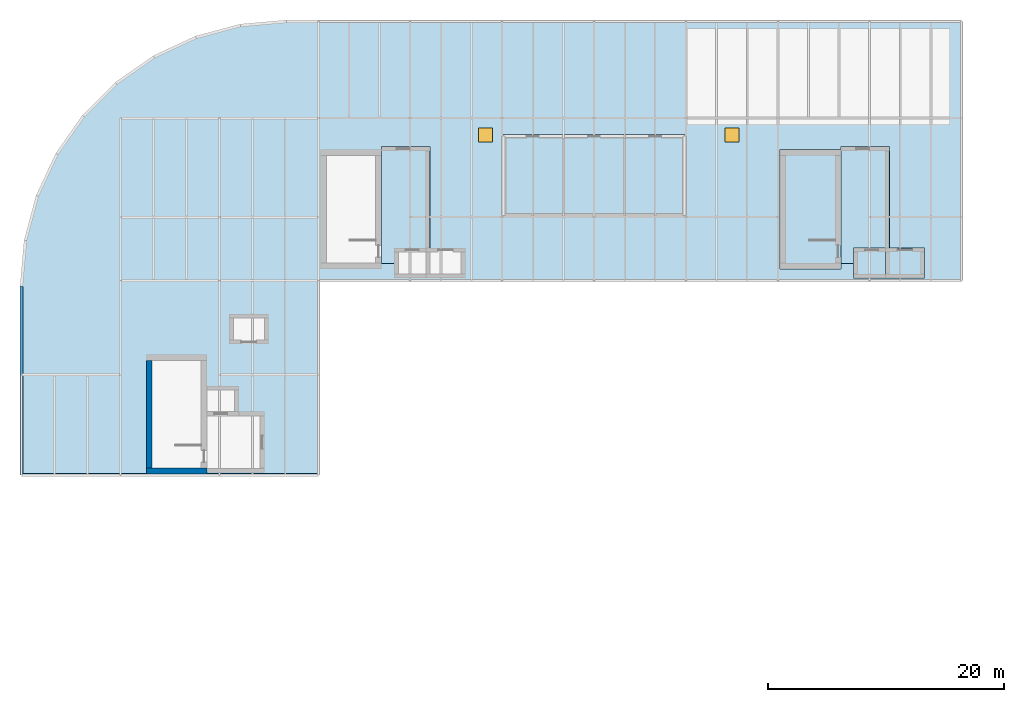
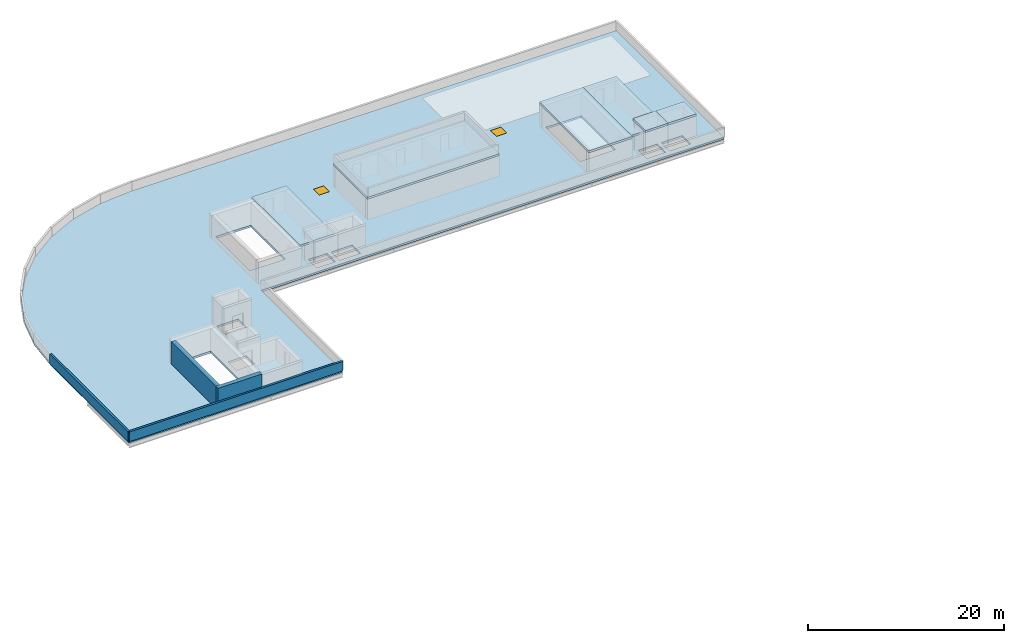
"""IFC4 building model written with IfcOpenShell, lengths in metres."""

from ifc_helpers import new_model, si_unit, direction, frame, frame_2d, origin, origin_2d, place, context, subcontext, project, spatial, polyline, rectangle, outline, extrude, material, layer, layer_set, type_object, element, fill, save


model = new_model("IFC4")

# Units and contexts
model_context = context("Model", 3, precision=1e-05, world=origin(), true_north=direction((0.0, 1.0)))
body_context = subcontext(model_context, "Body", "Model", "MODEL_VIEW")
ifc_project = project(units=[si_unit("LENGTHUNIT", "METRE"), si_unit("AREAUNIT", "SQUARE_METRE"), si_unit("VOLUMEUNIT", "CUBIC_METRE"), si_unit("PLANEANGLEUNIT", "RADIAN"), si_unit("MASSUNIT", "GRAM", prefix="KILO")], contexts=[model_context])

# Site, building, storey
site_placement = place(None, origin())
site = spatial("IfcSite", under=ifc_project, at=site_placement, CompositionType="ELEMENT")
building_placement = place(site_placement, origin())
building = spatial("IfcBuilding", under=site, at=building_placement, Name="Sefraquen Railside Congress Hotel", CompositionType="ELEMENT")
storey_1_placement = place(building_placement, frame((0.0, 0.0, 51.60009765625)))
storey_1 = spatial("IfcBuildingStorey", under=building, at=storey_1_placement, Name="RF", CompositionType="ELEMENT", Elevation=51.60009765625)

# Slabs
ifc_material_1 = material(Name="Concrete C40/50", Category="concrete")
ifc_layer_1 = layer(ifc_material_1, 0.260009765625)
ifc_layer_set_1 = layer_set([ifc_layer_1], Name="Concrete C40/50")
slab_type_1 = type_object("IfcSlabType", Name="TS-HC-260", PredefinedType="USERDEFINED", material=ifc_layer_set_1)
slab_1_placement = place(storey_1_placement, frame((0.0, 0.0, 2.7998046875)))
element("IfcSlab", 1, at=slab_1_placement, inside=storey_1, type_object=slab_type_1, Name="Stair ST-H03 rooftop penthouse cap slab", ObjectType="HOUSING CAP", PredefinedType="USERDEFINED", context=body_context, shape_type="SweptSolid", body=[
    extrude(outline(polyline([(64.39990234375, 97.0), (69.56005859375, 97.0), (69.56005859375, 107.112060546875), (64.39990234375, 107.112060546875), (64.39990234375, 97.0)])), origin(), (0.0, 0.0, 1.0), 0.260009765625),
])
slab_2_placement = place(storey_1_placement, frame((0.0, 0.0, 2.599853515625)))
element("IfcSlab", 2, at=slab_2_placement, inside=storey_1, type_object=slab_type_1, Name="Rooftop service penthouse housing cap slab", ObjectType="HOUSING CAP", PredefinedType="USERDEFINED", context=body_context, shape_type="SweptSolid", body=[
    extrude(outline(polyline([(40.800048828125, 101.39990234375), (56.39990234375, 101.39990234375), (56.39990234375, 108.39990234375), (40.800048828125, 108.39990234375), (40.800048828125, 101.39990234375)])), origin(), (0.0, 0.0, 1.0), 0.260009765625),
])
slab_3_placement = place(storey_1_placement, frame((0.0, 0.0, 3.599853515625)))
element("IfcSlab", 3, at=slab_3_placement, inside=storey_1, type_object=slab_type_1, Name="Lift FL-03 roof overrun cap slab", ObjectType="HOUSING CAP", PredefinedType="USERDEFINED", context=body_context, shape_type="SweptSolid", body=[
    extrude(outline(polyline([(70.639892578125, 96.22998046875), (73.330078125, 96.22998046875), (73.330078125, 98.77001953125), (70.639892578125, 98.77001953125), (70.639892578125, 96.22998046875)])), origin(), (0.0, 0.0, 1.0), 0.260009765625),
])
slab_4_placement = place(storey_1_placement, frame((0.0, 0.0, 3.599853515625)))
element("IfcSlab", 4, at=slab_4_placement, inside=storey_1, type_object=slab_type_1, Name="Lift PL-05 roof overrun cap slab", ObjectType="HOUSING CAP", PredefinedType="USERDEFINED", context=body_context, shape_type="SweptSolid", body=[
    extrude(outline(polyline([(73.330078125, 96.22998046875), (76.669921875, 96.22998046875), (76.669921875, 98.77001953125), (73.330078125, 98.77001953125), (73.330078125, 96.22998046875)])), origin(), (0.0, 0.0, 1.0), 0.260009765625),
])
slab_5_placement = place(storey_1_placement, frame((0.0, 0.0, 2.599853515625)))
element("IfcSlab", 5, at=slab_5_placement, inside=storey_1, type_object=slab_type_1, Name="Firefighting Lift Lobby FFL-02 rooftop cap slab", ObjectType="HOUSING CAP", PredefinedType="USERDEFINED", context=body_context, shape_type="SweptSolid", body=[
    extrude(outline(polyline([(30.56005859375, 97.449951171875), (34.659912109375, 97.449951171875), (34.659912109375, 107.3798828125), (30.56005859375, 107.3798828125), (30.56005859375, 97.449951171875)])), origin(), (0.0, 0.0, 1.0), 0.260009765625),
])
slab_6_placement = place(storey_1_placement, frame((0.0, 0.0, 2.599853515625)))
element("IfcSlab", 6, at=slab_6_placement, inside=storey_1, type_object=slab_type_1, Name="Firefighting Lift Lobby FFL-03 rooftop cap slab", ObjectType="HOUSING CAP", PredefinedType="USERDEFINED", context=body_context, shape_type="SweptSolid", body=[
    extrude(outline(polyline([(69.56005859375, 97.449951171875), (73.659912109375, 97.449951171875), (73.659912109375, 107.3798828125), (69.56005859375, 107.3798828125), (69.56005859375, 97.449951171875)])), origin(), (0.0, 0.0, 1.0), 0.260009765625),
])

# Slab, openings
ifc_layer_2 = layer(ifc_material_1, 0.260009765625)
ifc_layer_set_2 = layer_set([ifc_layer_2], Name="Concrete C40/50")
slab_type_2 = type_object("IfcSlabType", Name="TS-RF-260", PredefinedType="ROOF", material=ifc_layer_set_2)
slab_7_placement = place(storey_1_placement, frame((0.0, 0.0, -0.260009765625)))
slab_7 = element("IfcSlab", 7, at=slab_7_placement, inside=storey_1, type_object=slab_type_2, Name="Hotel Crown RF main insulated roof slab", PredefinedType="ROOF", context=body_context, shape_type="SweptSolid", body=[
    extrude(outline(polyline([(0.0, 79.5), (25.199951171875, 79.5), (25.199951171875, 96.0), (79.800048828125, 96.0), (79.800048828125, 118.0), (22.5, 118.0), (18.593017578125, 117.658203125), (14.804443359375, 116.64306640625), (11.25, 114.985595703125), (8.037353515625, 112.736083984375), (5.263916015625, 109.962646484375), (3.014404296875, 106.75), (1.35693359375, 103.195556640625), (0.341796875, 99.406982421875), (0.0, 95.5), (0.0, 79.5)]), holes=[polyline([(11.10009765625, 82.219970703125), (15.260009765625, 82.219970703125), (15.260009765625, 89.2119140625), (11.10009765625, 89.2119140625), (11.10009765625, 82.219970703125)]), polyline([(25.89990234375, 99.6201171875), (30.06005859375, 99.6201171875), (30.06005859375, 106.612060546875), (25.89990234375, 106.612060546875), (25.89990234375, 99.6201171875)]), polyline([(64.89990234375, 99.6201171875), (69.06005859375, 99.6201171875), (69.06005859375, 106.612060546875), (64.89990234375, 106.612060546875), (64.89990234375, 99.6201171875)]), polyline([(15.830078125, 84.949951171875), (18.030029296875, 84.949951171875), (18.030029296875, 86.64990234375), (15.830078125, 86.64990234375), (15.830078125, 84.949951171875)]), polyline([(32.06005859375, 96.64990234375), (34.260009765625, 96.64990234375), (34.260009765625, 98.35009765625), (32.06005859375, 98.35009765625), (32.06005859375, 96.64990234375)]), polyline([(71.06005859375, 96.64990234375), (73.260009765625, 96.64990234375), (73.260009765625, 98.35009765625), (71.06005859375, 98.35009765625), (71.06005859375, 96.64990234375)]), polyline([(18.050048828125, 91.050048828125), (20.550048828125, 91.050048828125), (20.550048828125, 92.75), (18.050048828125, 92.75), (18.050048828125, 91.050048828125)]), polyline([(34.75, 96.64990234375), (37.25, 96.64990234375), (37.25, 98.35009765625), (34.75, 98.35009765625), (34.75, 96.64990234375)]), polyline([(73.75, 96.64990234375), (76.25, 96.64990234375), (76.25, 98.35009765625), (73.75, 98.35009765625), (73.75, 96.64990234375)])]), origin(), (0.0, 0.0, 1.0), 0.260009765625),
])
opening_1_placement = place(slab_7_placement, frame((39.39990234375, 108.35009765625, -0.010009765625)))
opening_1 = element("IfcOpeningElement", 8, at=opening_1_placement, cuts=slab_7, Name="Opening SK-08", PredefinedType="OPENING", context=body_context, shape_type="SweptSolid", body=[
    extrude(rectangle(XDim=1.199951171875, YDim=1.199951171875, at=origin_2d()), origin(), (0.0, 0.0, 1.0), 0.280029296875),
])
opening_2_placement = place(slab_7_placement, frame((60.300048828125, 108.35009765625, -0.010009765625)))
opening_2 = element("IfcOpeningElement", 9, at=opening_2_placement, cuts=slab_7, Name="Opening SK-08", PredefinedType="OPENING", context=body_context, shape_type="SweptSolid", body=[
    extrude(rectangle(XDim=1.199951171875, YDim=1.199951171875, at=origin_2d()), origin(), (0.0, 0.0, 1.0), 0.280029296875),
])

# Storey
storey_2_placement = place(building_placement, frame((0.0, 0.0, 46.800048828125)))
storey_2 = spatial("IfcBuildingStorey", under=building, at=storey_2_placement, Name="L11", CompositionType="ELEMENT", Elevation=46.800048828125)

# Window
ifc_material_2 = material(Name="Laminated solar-control skylight glazing in bronze kerb", Category="glass")
window_type = type_object("IfcWindowType", Name="TWN-SK-08", PartitioningType="SINGLE_PANEL", PredefinedType="SKYLIGHT", material=ifc_material_2)
window_1_placement = place(opening_1_placement, frame((0.0, 0.0, 0.219970703125)))
window_1 = element("IfcWindow", 10, at=window_1_placement, inside=storey_2, type_object=window_type, Name="Glazed roof skylight or hatch WIN-RF-HATCH-04", OverallHeight=1.199951171875, OverallWidth=1.199951171875, PartitioningType="SINGLE_PANEL", PredefinedType="SKYLIGHT", context=body_context, shape_type="SweptSolid", body=[
    extrude(rectangle(XDim=1.199951171875, YDim=1.199951171875, at=origin_2d()), origin(), (0.0, 0.0, 1.0), 0.050048828125),
])

fill(opening_1, window_1)

window_2_placement = place(opening_2_placement, frame((0.0, 0.0, 0.219970703125)))
window_2 = element("IfcWindow", 11, at=window_2_placement, inside=storey_2, type_object=window_type, Name="Glazed roof skylight or hatch WIN-RF-HATCH-05", OverallHeight=1.199951171875, OverallWidth=1.199951171875, PartitioningType="SINGLE_PANEL", PredefinedType="SKYLIGHT", context=body_context, shape_type="SweptSolid", body=[
    extrude(rectangle(XDim=1.199951171875, YDim=1.199951171875, at=origin_2d()), origin(), (0.0, 0.0, 1.0), 0.050048828125),
])

fill(opening_2, window_2)

# Walls
ifc_material_3 = material(Name="Concrete C50/60", Category="concrete")
ifc_layer_3 = layer(ifc_material_3, 0.5)
ifc_layer_set_3 = layer_set([ifc_layer_3], Name="Concrete C50/60")
wall_type_1 = type_object("IfcWallType", Name="TW-CW-500", PredefinedType="SHEAR", material=ifc_layer_set_3)
wall_1_placement = place(storey_1_placement, frame((10.60009765625, 79.85009765625, 0.0), z_axis=(0.0, 0.0, 1.0), x_axis=(1.0, 0.0, 0.0)))
element("IfcWall", 12, at=wall_1_placement, inside=storey_1, type_object=wall_type_1, Name="Core shear wall ST-H01 S RF", PredefinedType="SHEAR", context=body_context, shape_type="SweptSolid", body=[
    extrude(rectangle(XDim=5.159912109375, YDim=0.5, at=frame_2d((2.580078125, 0.0))), origin(), (0.0, 0.0, 1.0), 2.7998046875),
])
wall_2_placement = place(storey_1_placement, frame((10.85009765625, 80.10009765625, 0.0), z_axis=(0.0, 0.0, 1.0), x_axis=(0.0, 1.0, 0.0)))
element("IfcWall", 13, at=wall_2_placement, inside=storey_1, type_object=wall_type_1, Name="Core shear wall ST-H01 W RF", PredefinedType="SHEAR", context=body_context, shape_type="SweptSolid", body=[
    extrude(rectangle(XDim=9.11181640625, YDim=0.5, at=frame_2d((4.555908203125, 0.0))), origin(), (0.0, 0.0, 1.0), 2.7998046875),
])
ifc_material_4 = material(Name="Precast concrete C40/50", Category="concrete")
ifc_layer_4 = layer(ifc_material_4, 0.25)
ifc_layer_set_4 = layer_set([ifc_layer_4], Name="Precast concrete C40/50")
wall_type_2 = type_object("IfcWallType", Name="TW-PA-250", PredefinedType="PARAPET", material=ifc_layer_set_4)
wall_3_placement = place(storey_1_placement, frame((0.0, 79.5, 0.0), z_axis=(0.0, 0.0, 1.0), x_axis=(1.0, 0.0, 0.0)))
element("IfcWall", 14, at=wall_3_placement, inside=storey_1, type_object=wall_type_2, Name="Hotel Crown RF perimeter parapet 01", PredefinedType="PARAPET", context=body_context, shape_type="SweptSolid", body=[
    extrude(rectangle(XDim=25.199951171875, YDim=0.25, at=frame_2d((12.60009765625, 0.0))), origin(), (0.0, 0.0, 1.0), 1.199951171875),
])
wall_4_placement = place(storey_1_placement, frame((0.0, 95.5, 0.0), z_axis=(0.0, 0.0, 1.0), x_axis=(0.0, -1.0, 0.0)))
element("IfcWall", 15, at=wall_4_placement, inside=storey_1, type_object=wall_type_2, Name="Hotel Crown RF perimeter parapet 15", PredefinedType="PARAPET", context=body_context, shape_type="SweptSolid", body=[
    extrude(rectangle(XDim=16.0, YDim=0.25, at=frame_2d((8.0, 0.0))), origin(), (0.0, 0.0, 1.0), 1.199951171875),
])

save(model, "model.ifc")
